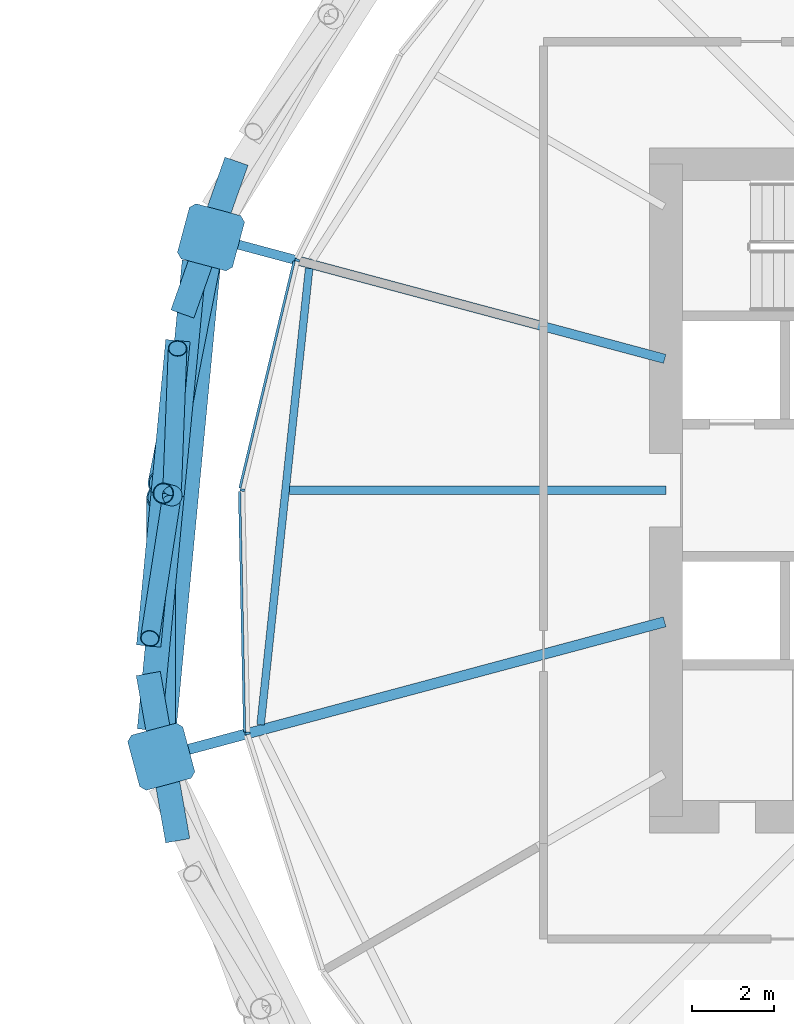
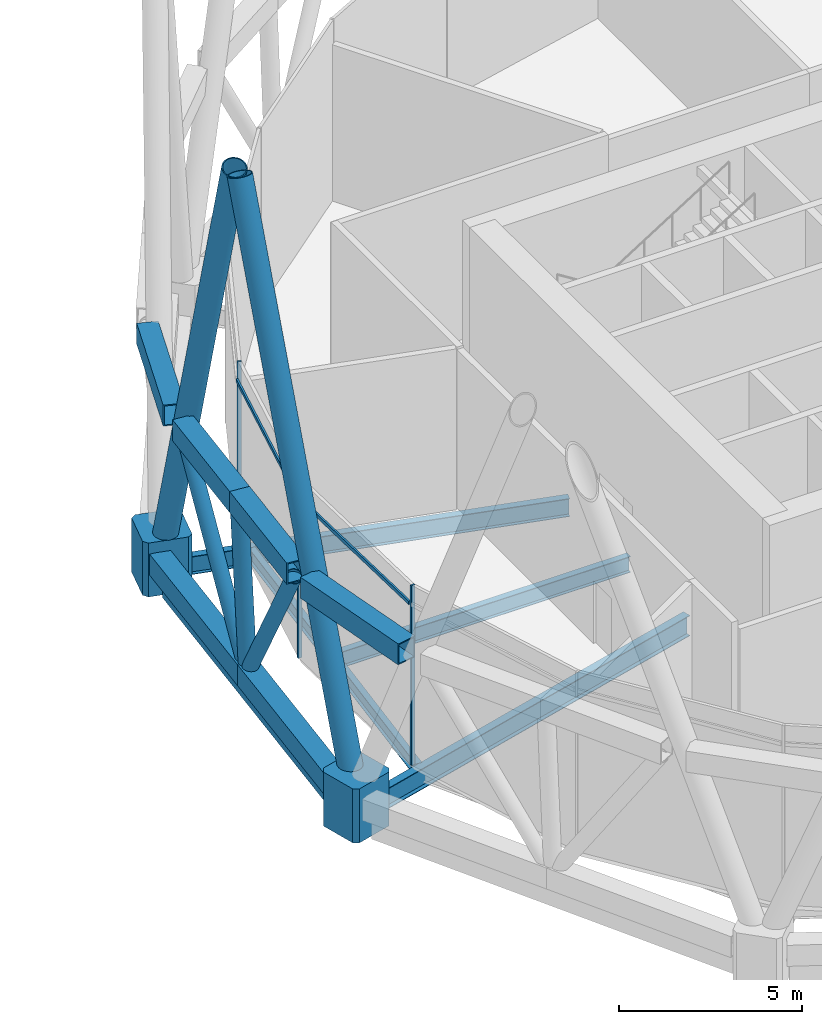
# One storey, part 18 of 33: 18 members, 5 beams, 1 element without a shape of its own.
"""IFC4 building model written with IfcOpenShell, lengths in metres."""

from ifc_helpers import new_model, si_unit, direction, frame, origin, origin_2d, place, context, subcontext, project, spatial, polyline, rectangle, hollow_rectangle, hollow_circle, i_section, outline, extrude, material, material_profile, profile_set, type_object, element, aggregate, save


model = new_model("IFC4")

# Units and contexts
model_context = context("Model", 3, precision=1e-05, world=origin(), true_north=direction((0.0, 1.0)))
body_context = subcontext(model_context, "Body", "Model", "MODEL_VIEW")
ifc_project = project(units=[si_unit("LENGTHUNIT", "METRE"), si_unit("AREAUNIT", "SQUARE_METRE"), si_unit("VOLUMEUNIT", "CUBIC_METRE"), si_unit("PLANEANGLEUNIT", "RADIAN"), si_unit("MASSUNIT", "GRAM", prefix="KILO")], contexts=[model_context])

# Site, building, storey
site_placement = place(None, origin())
site = spatial("IfcSite", under=ifc_project, at=site_placement, CompositionType="ELEMENT")
building_placement = place(site_placement, origin())
building = spatial("IfcBuilding", under=site, at=building_placement, Name="Rimbun Link Towers", CompositionType="ELEMENT")
storey_placement = place(building_placement, frame((0.0, 0.0, 75.60009765625)))
storey = spatial("IfcBuildingStorey", under=building, at=storey_placement, Name="L18", CompositionType="ELEMENT", Elevation=75.60009765625)

# Members
ifc_material_1 = material(Name="Steel S460N", Category="steel")
ifc_material_profile_1 = material_profile(ifc_material_1, hollow_rectangle(XDim=0.60009765625, YDim=0.699951171875, WallThickness=0.034912109375, at=origin_2d()), Name="Belt truss chord BOX 600x700x35")
ifc_profile_set_1 = profile_set([ifc_material_profile_1], Name="Steel S460N")
member_type_1 = type_object("IfcMemberType", Name="Belt truss chord BOX 600x700x35", PredefinedType="CHORD", material=ifc_profile_set_1)
member_1_placement = place(storey_placement, frame((9.21875, 8.069580078125, 6.0), z_axis=(-0.333922204616, -0.942600637208, 0.0), x_axis=(0.942600637208, -0.333922204616, 0.0)))
element("IfcMember", 1, at=member_1_placement, inside=storey, type_object=member_type_1, Name="Belt truss chord T2 L18 top 04", PredefinedType="CHORD", context=body_context, shape_type="SweptSolid", body=[
    extrude(hollow_rectangle(XDim=0.60009765625, YDim=0.699951171875, WallThickness=0.034912109375, at=origin_2d()), origin(), (0.0, 0.0, 1.0), 3.9736328125),
])
member_2_placement = place(storey_placement, frame((7.05517578125, -4.493408203125, 6.0), z_axis=(0.173828841446, -0.984775880026, 0.0), x_axis=(0.984775880026, 0.173828841446, 0.0)))
element("IfcMember", 2, at=member_2_placement, inside=storey, type_object=member_type_1, Name="Belt truss chord T2 L18 top 05", PredefinedType="CHORD", context=body_context, shape_type="SweptSolid", body=[
    extrude(hollow_rectangle(XDim=0.60009765625, YDim=0.699951171875, WallThickness=0.034912109375, at=origin_2d()), origin(), (0.0, 0.0, 1.0), 4.16162109375),
])
member_3_placement = place(storey_placement, frame((8.18505859375, 5.6162109375, 0.18994140625), z_axis=(-0.095290101327, -0.995449544974, 0.0), x_axis=(0.995449544974, -0.095290101327, 0.0)))
element("IfcMember", 3, at=member_3_placement, inside=storey, type_object=member_type_1, Name="Belt truss chord T2 L18 bottom 08", PredefinedType="CHORD", context=body_context, shape_type="SweptSolid", body=[
    extrude(hollow_rectangle(XDim=0.60009765625, YDim=0.699951171875, WallThickness=0.034912109375, at=origin_2d()), origin(), (0.0, 0.0, 1.0), 5.7724609375),
])
member_4_placement = place(storey_placement, frame((7.635009765625, -0.1298828125, 0.18994140625), z_axis=(-0.095286089562, -0.995449928995, 0.0), x_axis=(0.995449928995, -0.095286089562, 0.0)))
element("IfcMember", 4, at=member_4_placement, inside=storey, type_object=member_type_1, Name="Belt truss chord T2 L18 bottom 09", PredefinedType="CHORD", context=body_context, shape_type="SweptSolid", body=[
    extrude(hollow_rectangle(XDim=0.60009765625, YDim=0.699951171875, WallThickness=0.034912109375, at=origin_2d()), origin(), (0.0, 0.0, 1.0), 5.772705078125),
])
member_5_placement = place(storey_placement, frame((7.7822265625, 3.670166015625, 6.0), z_axis=(-0.095293088506, -0.99544925902, 0.0), x_axis=(0.99544925902, -0.095293088506, 0.0)))
element("IfcMember", 5, at=member_5_placement, inside=storey, type_object=member_type_1, Name="Belt truss chord T2 L18 top 20", PredefinedType="CHORD", context=body_context, shape_type="SweptSolid", body=[
    extrude(hollow_rectangle(XDim=0.60009765625, YDim=0.699951171875, WallThickness=0.034912109375, at=origin_2d()), origin(), (0.0, 0.0, 1.0), 3.760986328125),
])
member_6_placement = place(storey_placement, frame((7.423828125, -0.07373046875, 6.0), z_axis=(-0.095299246565, -0.995448669497, 0.0), x_axis=(0.995448669497, -0.095299246565, 0.0)))
element("IfcMember", 6, at=member_6_placement, inside=storey, type_object=member_type_1, Name="Belt truss chord T2 L18 top 21", PredefinedType="CHORD", context=body_context, shape_type="SweptSolid", body=[
    extrude(hollow_rectangle(XDim=0.60009765625, YDim=0.699951171875, WallThickness=0.034912109375, at=origin_2d()), origin(), (0.0, 0.0, 1.0), 3.7607421875),
])
ifc_material_2 = material(Name="Steel S355J2H", Category="steel")
ifc_material_profile_2 = material_profile(ifc_material_2, hollow_circle(Radius=0.228515625, WallThickness=0.01611328125, at=origin_2d()), Name="Belt truss diagonal CHS 457x16")
ifc_profile_set_2 = profile_set([ifc_material_profile_2], Name="Steel S355J2H")
member_type_2 = type_object("IfcMemberType", Name="Belt truss diagonal CHS 457x16", PredefinedType="BRACE", material=ifc_profile_set_2)
member_7_placement = place(storey_placement, frame((7.642333984375, 0.0615234375, 0.482666015625), z_axis=(0.021231356031, 0.547245044209, 0.836703108104), x_axis=(-0.999248252727, 0.038767633698, 0.0)))
element("IfcMember", 7, at=member_7_placement, inside=storey, type_object=member_type_2, Name="Belt truss diagonal T2 L18 08", PredefinedType="BRACE", context=body_context, shape_type="SweptSolid", body=[
    extrude(hollow_circle(Radius=0.228515625, WallThickness=0.01611328125, at=origin_2d()), origin(), (0.0, 0.0, 1.0), 6.243896484375),
])
member_8_placement = place(storey_placement, frame((7.606201171875, -0.31689453125, 0.484375), z_axis=(-0.082509067906, -0.534046532514, 0.841419369175), x_axis=(0.98827469554, -0.152686365324, 0.0)))
element("IfcMember", 8, at=member_8_placement, inside=storey, type_object=member_type_2, Name="Belt truss diagonal T2 L18 09", PredefinedType="BRACE", context=body_context, shape_type="SweptSolid", body=[
    extrude(hollow_circle(Radius=0.228515625, WallThickness=0.01611328125, at=origin_2d()), origin(), (0.0, 0.0, 1.0), 6.204833984375),
])
ifc_material_3 = material(Name="Steel S355J2H", Category="steel")
ifc_material_profile_3 = material_profile(ifc_material_3, hollow_circle(Radius=0.25390625, WallThickness=0.02001953125, at=origin_2d()), Name="Belt truss strut CHS 508x20")
ifc_profile_set_3 = profile_set([ifc_material_profile_3], Name="Steel S355J2H")
member_type_3 = type_object("IfcMemberType", Name="Belt truss strut CHS 508x20", PredefinedType="STRUT", material=ifc_profile_set_3)
member_9_placement = place(storey_placement, frame((7.635009765625, -0.1298828125, 0.539794921875), z_axis=(-0.041288529481, 0.010978452925, 0.999086948621), x_axis=(-0.256967200825, -0.966420124842, 0.0)))
element("IfcMember", 9, at=member_9_placement, inside=storey, type_object=member_type_3, Name="Belt truss strut T2 L18 04", PredefinedType="STRUT", context=body_context, shape_type="SweptSolid", body=[
    extrude(hollow_circle(Radius=0.25390625, WallThickness=0.02001953125, at=origin_2d()), origin(), (0.0, 0.0, 1.0), 5.11474609375),
])

# Curtain wall, members
ifc_material_4 = material(Name="Aluminium 6063-T6 louvre wall", Category="aluminium")
curtain_wall_type = type_object("IfcCurtainWallType", Name="CW6 plant floor louvre wall", PredefinedType="NOTDEFINED", material=ifc_material_4)
curtain_wall_placement = place(storey_placement, origin())
curtain_wall = element("IfcCurtainWall", 10, at=curtain_wall_placement, inside=storey, type_object=curtain_wall_type, Name="CW6 L18 T2", PredefinedType="NOTDEFINED")
ifc_material_5 = material(Name="Aluminium 6063-T6", Category="aluminium")
ifc_material_profile_4 = material_profile(ifc_material_5, rectangle(XDim=0.1201171875, YDim=0.06005859375, at=origin_2d()), Name="MULLION 60X120")
ifc_profile_set_4 = profile_set([ifc_material_profile_4], Name="Aluminium 6063-T6")
member_type_4 = type_object("IfcMemberType", Name="CW6 mullion 60X120", PredefinedType="MULLION", material=ifc_profile_set_4)
member_10_placement = place(storey_placement, frame((10.7099609375, 5.64306640625, 0.0), z_axis=(0.0, 0.0, 1.0), x_axis=(-0.939348023223, 0.342965437423, 0.0)))
member_10 = element("IfcMember", 11, at=member_10_placement, type_object=member_type_4, Name="CW6 mullion", PredefinedType="MULLION", context=body_context, shape_type="SweptSolid", body=[
    extrude(rectangle(XDim=0.1201171875, YDim=0.06005859375, at=origin_2d()), origin(), (0.0, 0.0, 1.0), 6.0),
])
member_11_placement = place(storey_placement, frame((9.362060546875, 0.00634765625, 0.0), z_axis=(0.0, 0.0, 1.0), x_axis=(-0.994298279657, 0.106634567902, 0.0)))
member_11 = element("IfcMember", 12, at=member_11_placement, type_object=member_type_4, Name="CW6 mullion", PredefinedType="MULLION", context=body_context, shape_type="SweptSolid", body=[
    extrude(rectangle(XDim=0.1201171875, YDim=0.06005859375, at=origin_2d()), origin(), (0.0, 0.0, 1.0), 6.0),
])
member_12_placement = place(storey_placement, frame((9.48779296875, -5.959228515625, 0.0), z_axis=(0.0, 0.0, 1.0), x_axis=(-0.986502743935, -0.163744728794, 0.0)))
member_12 = element("IfcMember", 13, at=member_12_placement, type_object=member_type_4, Name="CW6 mullion", PredefinedType="MULLION", context=body_context, shape_type="SweptSolid", body=[
    extrude(rectangle(XDim=0.1201171875, YDim=0.06005859375, at=origin_2d()), origin(), (0.0, 0.0, 1.0), 6.0),
])
ifc_material_6 = material(Name="Aluminium 6063-T6", Category="aluminium")
ifc_material_profile_5 = material_profile(ifc_material_6, rectangle(XDim=0.06005859375, YDim=0.1201171875, at=origin_2d()), Name="TRANSOM 60X120")
ifc_profile_set_5 = profile_set([ifc_material_profile_5], Name="Aluminium 6063-T6")
member_type_5 = type_object("IfcMemberType", Name="CW6 transom 60X120", PredefinedType="USERDEFINED", material=ifc_profile_set_5)
member_13_placement = place(storey_placement, frame((9.30224609375, 0.059326171875, 5.39990234375), z_axis=(0.232562683493, 0.972581409573, 0.0), x_axis=(-0.972581409573, 0.232562683493, 0.0)))
member_13 = element("IfcMember", 14, at=member_13_placement, type_object=member_type_5, Name="CW6 transom", ObjectType="TRANSOM", PredefinedType="USERDEFINED", context=body_context, shape_type="SweptSolid", body=[
    extrude(rectangle(XDim=0.06005859375, YDim=0.1201171875, at=origin_2d()), origin(), (0.0, 0.0, 1.0), 5.721435546875),
])
member_14_placement = place(storey_placement, frame((9.41650390625, -5.922119140625, 5.39990234375), z_axis=(-0.021054072708, 0.999778338444, 0.0), x_axis=(-0.999778338444, -0.021054072708, 0.0)))
member_14 = element("IfcMember", 15, at=member_14_placement, type_object=member_type_5, Name="CW6 transom", ObjectType="TRANSOM", PredefinedType="USERDEFINED", context=body_context, shape_type="SweptSolid", body=[
    extrude(rectangle(XDim=0.06005859375, YDim=0.1201171875, at=origin_2d()), origin(), (0.0, 0.0, 1.0), 5.890625),
])
aggregate(curtain_wall, [member_10, member_11, member_12, member_13, member_14])

# Members
ifc_material_7 = material(Name="Steel S460NH", Category="steel")
ifc_material_profile_6 = material_profile(ifc_material_7, hollow_circle(Radius=0.355712890625, WallThickness=0.031982421875, at=origin_2d()), Name="Diagrid diagonal CHS 711x32")
ifc_profile_set_6 = profile_set([ifc_material_profile_6], Name="Steel S460NH")
member_type_6 = type_object("IfcMemberType", Name="Diagrid diagonal CHS 711x32", PredefinedType="BRACE", material=ifc_profile_set_6)
member_15_placement = place(storey_placement, frame((8.56005859375, 6.037353515625, 0.4697265625), z_axis=(-0.066005759087, -0.335158704482, 0.939846733557), x_axis=(0.98115401734, -0.193227312403, 0.0)))
element("IfcMember", 16, at=member_15_placement, inside=storey, type_object=member_type_6, Name="Diagrid diagonal T2 L18-L22 08b", PredefinedType="BRACE", context=body_context, shape_type="SweptSolid", body=[
    extrude(hollow_circle(Radius=0.355712890625, WallThickness=0.031982421875, at=origin_2d()), origin(), (0.0, 0.0, 1.0), 17.513671875),
])
member_16_placement = place(storey_placement, frame((7.37353515625, -6.35595703125, 0.468017578125), z_axis=(-0.000138829813, 0.351433789127, 0.936212728276), x_axis=(-0.999999921972, -0.000395038288, 0.0)))
element("IfcMember", 17, at=member_16_placement, inside=storey, type_object=member_type_6, Name="Diagrid diagonal T2 L18-L22 10a", PredefinedType="BRACE", context=body_context, shape_type="SweptSolid", body=[
    extrude(hollow_circle(Radius=0.355712890625, WallThickness=0.031982421875, at=origin_2d()), origin(), (0.0, 0.0, 1.0), 17.585693359375),
])
ifc_material_8 = material(Name="Cast steel G20Mn5+QT, Rp0.2 300 MPa", Category="steel")
ifc_material_profile_7 = material_profile(ifc_material_8, outline(polyline([(0.699951171875, -0.570068359375), (0.699951171875, 0.570068359375), (0.570068359375, 0.699951171875), (-0.570068359375, 0.699951171875), (-0.699951171875, 0.570068359375), (-0.699951171875, -0.570068359375), (-0.570068359375, -0.699951171875), (0.570068359375, -0.699951171875), (0.699951171875, -0.570068359375)])), Name="NODE 1400x1400")
ifc_profile_set_7 = profile_set([ifc_material_profile_7], Name="Cast steel G20Mn5+QT, Rp0.2 300 MPa")
member_type_7 = type_object("IfcMemberType", Name="Diagrid node cast 1400", PredefinedType="USERDEFINED", material=ifc_profile_set_7)
for number, where, z_axis, x_axis, name in (
    (18, (8.593017578125, 6.204833984375, -0.900146484375), (0.0, 0.0, 1.0), (-0.965925826289, 0.258819045103, 0.0), "Diagrid node L18 08"),
    (19, (7.373779296875, -6.531494140625, -0.900146484375), (0.0, 0.0, 1.0), (-0.965925826289, -0.258819045103, 0.0), "Diagrid node L18 10"),
):
    element("IfcMember", number, at=place(storey_placement, frame(where, z_axis=z_axis, x_axis=x_axis)), inside=storey, type_object=member_type_7, Name=name, ObjectType="Diagrid node", PredefinedType="USERDEFINED", context=body_context, shape_type="SweptSolid", body=[
        extrude(outline(polyline([(0.699951171875, -0.570068359375), (0.699951171875, 0.570068359375), (0.570068359375, 0.699951171875), (-0.570068359375, 0.699951171875), (-0.699951171875, 0.570068359375), (-0.699951171875, -0.570068359375), (-0.570068359375, -0.699951171875), (0.570068359375, -0.699951171875), (0.699951171875, -0.570068359375)])), origin(), (0.0, 0.0, 1.0), 1.800048828125),
    ])

# Beams
ifc_material_9 = material(Name="Steel S355J2", Category="steel")
ifc_material_profile_8 = material_profile(ifc_material_9, hollow_rectangle(XDim=0.60009765625, YDim=0.800048828125, WallThickness=0.0400390625, at=origin_2d()), Name="Exoskeleton ring girder BOX 600x800x40")
ifc_profile_set_8 = profile_set([ifc_material_profile_8], Name="Steel S355J2")
beam_type_1 = type_object("IfcBeamType", Name="Exoskeleton ring girder BOX 600x800x40", PredefinedType="BEAM", material=ifc_profile_set_8)
beam_1_placement = place(storey_placement, frame((8.5263671875, 5.508056640625, -0.56005859375), z_axis=(-0.095302503124, -0.995448357725, 0.0), x_axis=(0.995448357725, -0.095302503124, 0.0)))
element("IfcBeam", 20, at=beam_1_placement, inside=storey, type_object=beam_type_1, Name="Exoskeleton ring girder L18 04", PredefinedType="BEAM", context=body_context, shape_type="SweptSolid", body=[
    extrude(hollow_rectangle(XDim=0.60009765625, YDim=0.800048828125, WallThickness=0.0400390625, at=origin_2d()), origin(), (0.0, 0.0, 1.0), 11.39453125),
])
ifc_material_10 = material(Name="Steel S355J2", Category="steel")
ifc_material_profile_9 = material_profile(ifc_material_10, i_section(OverallWidth=0.18994140625, OverallDepth=0.453369140625, WebThickness=0.008544921875, FlangeThickness=0.0126953125, at=origin_2d()), Name="UB 457x191x67")
ifc_profile_set_9 = profile_set([ifc_material_profile_9], Name="Steel S355J2")
beam_type_2 = type_object("IfcBeamType", Name="UB 457x191x67", PredefinedType="BEAM", material=ifc_profile_set_9)
beam_2_placement = place(storey_placement, frame((11.00048828125, 5.44091796875, -0.4267578125), z_axis=(-0.105809794536, -0.994386387367, 0.0), x_axis=(0.994386387367, -0.105809794536, 0.0)))
element("IfcBeam", 21, at=beam_2_placement, inside=storey, type_object=beam_type_2, Name="Edge beam T2 L18 08-10", PredefinedType="BEAM", context=body_context, shape_type="SweptSolid", body=[
    extrude(i_section(OverallWidth=0.18994140625, OverallDepth=0.453369140625, WebThickness=0.008544921875, FlangeThickness=0.0126953125, at=origin_2d()), origin(), (0.0, 0.0, 1.0), 11.250732421875),
])
ifc_material_11 = material(Name="Steel S355J2", Category="steel")
ifc_material_profile_10 = material_profile(ifc_material_11, i_section(OverallWidth=0.209228515625, OverallDepth=0.533203125, WebThickness=0.010009765625, FlangeThickness=0.015625, at=origin_2d()), Name="UB 533x210x92")
ifc_profile_set_10 = profile_set([ifc_material_profile_10], Name="Steel S355J2")
beam_type_3 = type_object("IfcBeamType", Name="UB 533x210x92", PredefinedType="BEAM", material=ifc_profile_set_10)
beam_3_placement = place(storey_placement, frame((19.7490234375, 0.0, -0.466796875), z_axis=(-1.0, 0.0, 0.0), x_axis=(0.0, -1.0, 0.0)))
element("IfcBeam", 22, at=beam_3_placement, inside=storey, type_object=beam_type_3, Name="Radial beam T2 L18 09", PredefinedType="BEAM", context=body_context, shape_type="SweptSolid", body=[
    extrude(i_section(OverallWidth=0.209228515625, OverallDepth=0.533203125, WebThickness=0.010009765625, FlangeThickness=0.015625, at=origin_2d()), origin(), (0.0, 0.0, 1.0), 9.23095703125),
])
ifc_material_12 = material(Name="Steel S355J2", Category="steel")
ifc_material_profile_11 = material_profile(ifc_material_12, i_section(OverallWidth=0.2275390625, OverallDepth=0.6025390625, WebThickness=0.010498046875, FlangeThickness=0.014892578125, at=origin_2d()), Name="UB 610x229x101")
ifc_profile_set_11 = profile_set([ifc_material_profile_11], Name="Steel S355J2")
beam_type_4 = type_object("IfcBeamType", Name="UB 610x229x101", PredefinedType="BEAM", material=ifc_profile_set_11)
beam_4_placement = place(storey_placement, frame((19.719482421875, 3.223388671875, -0.50146484375), z_axis=(-0.965923128678, 0.258829112515, 0.0), x_axis=(-0.258829112515, -0.965923128678, 0.0)))
element("IfcBeam", 23, at=beam_4_placement, inside=storey, type_object=beam_type_4, Name="Radial beam T2 L18 08", PredefinedType="BEAM", context=body_context, shape_type="SweptSolid", body=[
    extrude(i_section(OverallWidth=0.2275390625, OverallDepth=0.6025390625, WebThickness=0.010498046875, FlangeThickness=0.014892578125, at=origin_2d()), origin(), (0.0, 0.0, 1.0), 11.01904296875),
])
ifc_material_13 = material(Name="Steel S355J2", Category="steel")
ifc_material_profile_12 = material_profile(ifc_material_13, i_section(OverallWidth=0.253662109375, OverallDepth=0.68359375, WebThickness=0.012451171875, FlangeThickness=0.01904296875, at=origin_2d()), Name="UB 686x254x140")
ifc_profile_set_12 = profile_set([ifc_material_profile_12], Name="Steel S355J2")
beam_type_5 = type_object("IfcBeamType", Name="UB 686x254x140", PredefinedType="BEAM", material=ifc_profile_set_12)
beam_5_placement = place(storey_placement, frame((19.71630859375, -3.224365234375, -0.5419921875), z_axis=(-0.965926661037, -0.258815929762, 0.0), x_axis=(0.258815929762, -0.965926661037, 0.0)))
element("IfcBeam", 24, at=beam_5_placement, inside=storey, type_object=beam_type_5, Name="Radial beam T2 L18 10", PredefinedType="BEAM", context=body_context, shape_type="SweptSolid", body=[
    extrude(i_section(OverallWidth=0.253662109375, OverallDepth=0.68359375, WebThickness=0.012451171875, FlangeThickness=0.01904296875, at=origin_2d()), origin(), (0.0, 0.0, 1.0), 12.278076171875),
])

save(model, "model.ifc")
